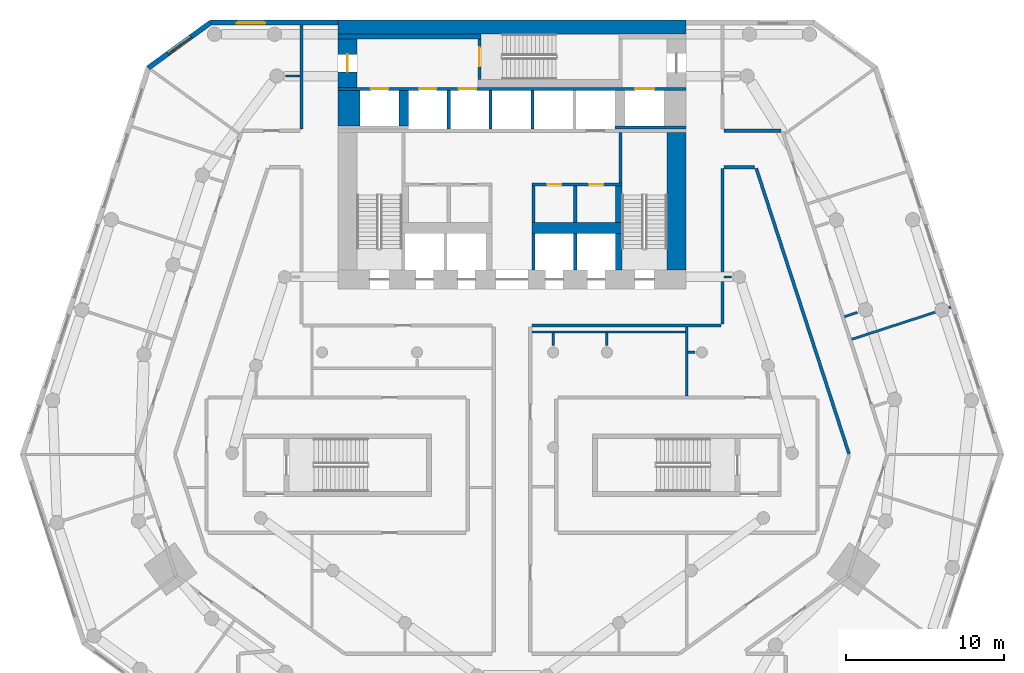
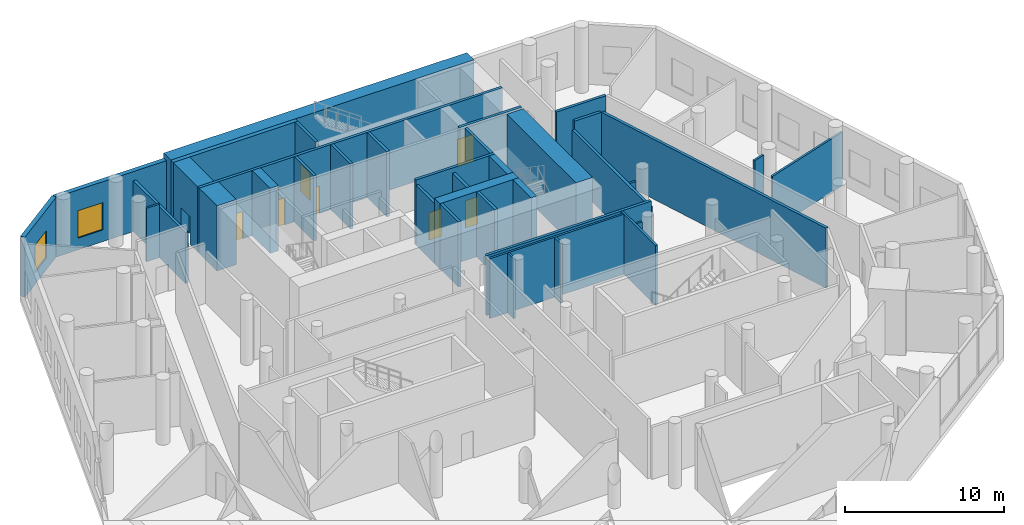
# One storey, part 11 of 15: 38 walls, 8 doors, 2 windows, 10 openings.
"""IFC4 building model written with IfcOpenShell, lengths in metres."""

import ifcopenshell
import ifcopenshell.guid

model = None  # the IFC model being written
_history = None  # IfcOwnerHistory: only IFC2X3 demands one
_inside = {}  # id of a spatial element -> (the spatial element, [elements in it])
_under = {}  # id of a project, library or spatial element -> (it, [spatial elements below it])
_declared = {}  # id of a project -> (the project, [libraries it declares])
_typed = {}  # id of a type object -> (the type object, [elements of that type])
_made_of = {}  # id of a material, layer set ... -> (it, [elements and type objects made of it])


def new_model(schema):
    """Start an empty IFC model of exactly this schema.

    Asked for "IFC4X3", IfcOpenShell would pick the latest addendum, in which some entities
    have other attributes; the version numbers below select the first issue.
    IFC2X3 requires an IfcOwnerHistory on every rooted entity: one is made here for all.
    """
    global model, _history
    if schema == "IFC4X3":
        model = ifcopenshell.file(schema_version=(4, 3, 0, 0))
    else:
        model = ifcopenshell.file(schema=schema)
    _inside.clear()
    _under.clear()
    _declared.clear()
    _typed.clear()
    _made_of.clear()
    _history = None
    if model.schema == "IFC2X3":
        org = make("IfcOrganization", Name="unknown")
        user = make(
            "IfcPersonAndOrganization",
            ThePerson=make("IfcPerson", FamilyName="unknown"),
            TheOrganization=org,
        )
        app = make(
            "IfcApplication",
            ApplicationDeveloper=org,
            Version="unknown",
            ApplicationFullName="unknown",
            ApplicationIdentifier="unknown",
        )
        _history = make(
            "IfcOwnerHistory",
            OwningUser=user,
            OwningApplication=app,
            ChangeAction="ADDED",
            CreationDate=0,
        )
    return model


def make(cls, **values):
    """One entity of the class cls with the attributes given. An attribute that is None is left unset."""
    return model.create_entity(
        cls, **{name: value for name, value in values.items() if value is not None}
    )


def rooted(cls, **values):
    """An entity with a GlobalId (a new one), such as an element, a storey or a relation."""
    return make(cls, GlobalId=ifcopenshell.guid.new(), OwnerHistory=_history, **values)


def si_unit(unit_type, name, prefix=None):
    """IfcSIUnit, for example si_unit("LENGTHUNIT", "METRE", prefix="MILLI")."""
    return make("IfcSIUnit", UnitType=unit_type, Prefix=prefix, Name=name)


def assignment(units):
    """IfcUnitAssignment: the units of a project."""
    return None if units is None else make("IfcUnitAssignment", Units=units)


def point(xyz):
    """IfcCartesianPoint."""
    return None if xyz is None else make("IfcCartesianPoint", Coordinates=xyz)


def direction(xyz):
    """IfcDirection."""
    return None if xyz is None else make("IfcDirection", DirectionRatios=xyz)


def frame(location, z_axis=None, x_axis=None):
    """IfcAxis2Placement3D, a coordinate frame: its origin and axes. An axis left out is left unset."""
    return make(
        "IfcAxis2Placement3D",
        Location=point(location),
        Axis=direction(z_axis),
        RefDirection=direction(x_axis),
    )


def frame_2d(location, x_axis=None):
    """IfcAxis2Placement2D, a coordinate frame in the plane: its origin and x axis."""
    return make(
        "IfcAxis2Placement2D", Location=point(location), RefDirection=direction(x_axis)
    )


def origin():
    """The frame at (0, 0, 0) with its axes left unset."""
    return frame((0.0, 0.0, 0.0))


def place(relative_to, where):
    """IfcLocalPlacement: puts the frame where relative to a parent placement (None: the world)."""
    return make(
        "IfcLocalPlacement", PlacementRelTo=relative_to, RelativePlacement=where
    )


def context(
    kind, dimensions, precision=None, world=None, true_north=None, identifier=None
):
    """IfcGeometricRepresentationContext, for example the 3D "Model" context."""
    return make(
        "IfcGeometricRepresentationContext",
        ContextIdentifier=identifier,
        ContextType=kind,
        CoordinateSpaceDimension=dimensions,
        Precision=precision,
        WorldCoordinateSystem=world,
        TrueNorth=true_north,
    )


def subcontext(parent, identifier, kind, view, scale=None):
    """IfcGeometricRepresentationSubContext, for example "Body" below "Model"."""
    return make(
        "IfcGeometricRepresentationSubContext",
        ContextIdentifier=identifier,
        ContextType=kind,
        ParentContext=parent,
        TargetScale=scale,
        TargetView=view,
    )


def project(units=None, contexts=None):
    """IfcProject with its units and contexts."""
    return rooted(
        "IfcProject",
        Name="project",
        RepresentationContexts=contexts,
        UnitsInContext=assignment(units),
    )


def spatial(cls, under=None, at=None, **own):
    """A site, building, storey or space (cls), placed at a placement, below another one or the project."""
    s = rooted(cls, ObjectPlacement=at, **own)
    if under is not None:
        _under.setdefault(under.id(), (under, []))[1].append(s)
    return s


def profile(cls, at=None, kind="AREA", **sizes):
    """A parametric profile (cls). Its sizes go by their IFC names, for example OverallWidth=200.0."""
    return make(cls, ProfileType=kind, Position=at, **sizes)


def rectangle(**sizes):
    """IfcRectangleProfileDef."""
    return profile("IfcRectangleProfileDef", **sizes)


def extrude(swept, where, along, depth):
    """IfcExtrudedAreaSolid: the profile swept, set in the frame where, extruded along a direction by depth."""
    return make(
        "IfcExtrudedAreaSolid",
        SweptArea=swept,
        Position=where,
        ExtrudedDirection=direction(along),
        Depth=depth,
    )


def shape(context_of_items, identifier, shape_type, items):
    """IfcShapeRepresentation: the items that make up one representation, for example the "Body"."""
    return make(
        "IfcShapeRepresentation",
        ContextOfItems=context_of_items,
        RepresentationIdentifier=identifier,
        RepresentationType=shape_type,
        Items=items,
    )


def material(Name=None, Category=None):
    """IfcMaterial."""
    return make("IfcMaterial", Name=Name, Category=Category)


def layer(
    of_material, thickness, ventilated=None, Name=None, Category=None, Priority=None
):
    """IfcMaterialLayer: one layer of a wall or slab, of a material (None: an air gap)."""
    return make(
        "IfcMaterialLayer",
        Material=of_material,
        LayerThickness=thickness,
        IsVentilated=ventilated,
        Name=Name,
        Category=Category,
        Priority=Priority,
    )


def layer_set(layers, Name=None):
    """IfcMaterialLayerSet."""
    return make("IfcMaterialLayerSet", MaterialLayers=layers, LayerSetName=Name)


def made_of(thing, what):
    """Note that an element or type object is made of a material, layer set ...; save() writes the relation."""
    if what is not None:
        _made_of.setdefault(what.id(), (what, []))[1].append(thing)
    return thing


def type_object(cls, material=None, **own):
    """A type object (cls), such as IfcWallType, which elements share."""
    return made_of(rooted(cls, **own), material)


def element(
    cls,
    number,
    at=None,
    inside=None,
    cuts=None,
    type_object=None,
    material=None,
    context=None,
    identifier="Body",
    shape_type=None,
    held_by="IfcProductDefinitionShape",
    body=None,
    shapes=None,
    **own,
):
    """One element of the class cls, such as IfcWall. Its Tag is "e" and its number.

    at: its placement. inside: the storey or other place that contains it. cuts: it is an
    opening in that element (IfcRelVoidsElement). A single representation is given by context,
    identifier, shape_type and body (its items); several are given by shapes. held_by: the class
    of the entity that holds the representations. save() writes the other relations.
    """
    e = rooted(cls, Tag="e%d" % number, ObjectPlacement=at, **own)
    if body is not None:
        shapes = [shape(context, identifier, shape_type, body)]
    if shapes is not None:
        e.Representation = make(held_by, Representations=shapes)
    if inside is not None:
        _inside.setdefault(inside.id(), (inside, []))[1].append(e)
    if cuts is not None:
        rooted(
            "IfcRelVoidsElement", RelatingBuildingElement=cuts, RelatedOpeningElement=e
        )
    if type_object is not None:
        _typed.setdefault(type_object.id(), (type_object, []))[1].append(e)
    return made_of(e, material)


def fill(opening, filler):
    """IfcRelFillsElement: the door or window that sits in an opening."""
    return rooted(
        "IfcRelFillsElement",
        RelatingOpeningElement=opening,
        RelatedBuildingElement=filler,
    )


def aggregate(whole, parts):
    """IfcRelAggregates: a whole, such as a stair, and the parts it consists of."""
    return rooted("IfcRelAggregates", RelatingObject=whole, RelatedObjects=parts)


def save(model, path):
    """Write the relations noted so far, then the file.

    IfcRelAggregates (storeys below a building ...), IfcRelContainedInSpatialStructure (elements
    in a storey), IfcRelDefinesByType, IfcRelAssociatesMaterial and IfcRelDeclares: one each for
    every whole, place, type object, material and project.
    """
    for whole, parts in _under.values():
        aggregate(whole, parts)
    for where, things in _inside.values():
        rooted(
            "IfcRelContainedInSpatialStructure",
            RelatedElements=things,
            RelatingStructure=where,
        )
    for kind, things in _typed.values():
        rooted("IfcRelDefinesByType", RelatedObjects=things, RelatingType=kind)
    for what, things in _made_of.values():
        rooted("IfcRelAssociatesMaterial", RelatedObjects=things, RelatingMaterial=what)
    for by, libraries in _declared.values():
        rooted("IfcRelDeclares", RelatingContext=by, RelatedDefinitions=libraries)
    model.write(path)


model = new_model("IFC4")

# Units and contexts
model_context = context("Model", 3, precision=1e-05, world=origin(), true_north=direction((0.0, 1.0)))
body_context = subcontext(model_context, "Body", "Model", "MODEL_VIEW")
ifc_project = project(units=[si_unit("LENGTHUNIT", "METRE"), si_unit("AREAUNIT", "SQUARE_METRE"), si_unit("VOLUMEUNIT", "CUBIC_METRE"), si_unit("PLANEANGLEUNIT", "RADIAN"), si_unit("MASSUNIT", "GRAM", prefix="KILO")], contexts=[model_context])

# Site, building, storey
site_placement = place(None, origin())
site = spatial("IfcSite", under=ifc_project, at=site_placement, CompositionType="ELEMENT")
building_placement = place(site_placement, origin())
building = spatial("IfcBuilding", under=site, at=building_placement, Name="White Candle Pilgrim Tower", CompositionType="ELEMENT")
storey_placement = place(building_placement, frame((0.0, 0.0, 34.0)))
storey = spatial("IfcBuildingStorey", under=building, at=storey_placement, Name="L05", CompositionType="ELEMENT", Elevation=34.0)

# Wall, opening, door
ifc_material_1 = material(Name="Concrete C70/85", Category="concrete")
ifc_layer_1 = layer(ifc_material_1, 1.199951171875)
ifc_layer_set_1 = layer_set([ifc_layer_1], Name="Core wall 1200 mm Concrete C70/85")
wall_type_1 = type_object("IfcWallType", Name="Core wall 1200 mm Concrete C70/85", PredefinedType="SHEAR", material=ifc_layer_set_1)
wall_1_placement = place(storey_placement, frame((59.60009765625, 83.75, 0.0), z_axis=(0.0, 0.0, 1.0), x_axis=(0.0, 1.0, 0.0)))
wall_1 = element("IfcWall", 1, at=wall_1_placement, inside=storey, type_object=wall_type_1, Name="WL-L05-C54", PredefinedType="SHEAR", context=body_context, shape_type="SweptSolid", body=[
    extrude(rectangle(XDim=3.050048828125, YDim=1.199951171875, at=frame_2d((1.52490234375, 0.0))), origin(), (0.0, 0.0, 1.0), 5.0),
])
opening_1_placement = place(wall_1_placement, frame((0.97509765625, 0.0, 0.0)))
opening_1 = element("IfcOpeningElement", 2, at=opening_1_placement, cuts=wall_1, Name="Opening L05-005", PredefinedType="OPENING", context=body_context, shape_type="SweptSolid", body=[
    extrude(rectangle(XDim=1.10009765625, YDim=2.10009765625, at=frame_2d((0.550048828125, 1.050048828125))), frame((0.0, 0.60986328125, 0.0), z_axis=(0.0, -1.0, 0.0), x_axis=(1.0, 0.0, 0.0)), (0.0, 0.0, 1.0), 1.219970703125),
])
ifc_material_2 = material(Name="Steel door leaf", Category="steel")
door_type_1 = type_object("IfcDoorType", Name="Fire door 1100 x 2100 EI 60", OperationType="NOTDEFINED", PredefinedType="DOOR", material=ifc_material_2)
door_1_placement = place(opening_1_placement, origin())
door_1 = element("IfcDoor", 3, at=door_1_placement, inside=storey, type_object=door_type_1, Name="Door L05-005", OperationType="SINGLE_SWING_LEFT", OverallHeight=2.10009765625, OverallWidth=1.10009765625, PredefinedType="DOOR", context=body_context, shape_type="SweptSolid", body=[
    extrude(rectangle(XDim=1.10009765625, YDim=2.10009765625, at=frame_2d((0.550048828125, 1.050048828125))), frame((0.0, 0.02490234375, 0.0), z_axis=(0.0, -1.0, 0.0), x_axis=(1.0, 0.0, 0.0)), (0.0, 0.0, 1.0), 0.050048828125),
])
fill(opening_1, door_1)

# Walls
ifc_layer_2 = layer(ifc_material_1, 1.39990234375)
ifc_layer_set_2 = layer_set([ifc_layer_2], Name="Core wall 1400 mm Concrete C70/85")
wall_type_2 = type_object("IfcWallType", Name="Core wall 1400 mm Concrete C70/85", PredefinedType="SHEAR", material=ifc_layer_set_2)
wall_2_placement = place(storey_placement, frame((59.699951171875, 81.300048828125, 0.0), z_axis=(0.0, 0.0, 1.0), x_axis=(0.0, 1.0, 0.0)))
element("IfcWall", 4, at=wall_2_placement, inside=storey, type_object=wall_type_2, Name="WL-L05-C49", PredefinedType="SHEAR", context=body_context, shape_type="SweptSolid", body=[
    extrude(rectangle(XDim=2.25, YDim=1.39990234375, at=frame_2d((1.125, 0.0))), origin(), (0.0, 0.0, 1.0), 5.0),
])
ifc_layer_3 = layer(ifc_material_1, 0.199951171875)
ifc_layer_set_3 = layer_set([ifc_layer_3], Name="Core wall 200 mm Concrete C70/85")
wall_type_3 = type_object("IfcWallType", Name="Core wall 200 mm Concrete C70/85", PredefinedType="SHEAR", material=ifc_layer_set_3)
wall_3_placement = place(storey_placement, frame((76.5, 81.199951171875, 0.0), z_axis=(0.0, 0.0, 1.0), x_axis=(1.0, 0.0, 0.0)))
element("IfcWall", 5, at=wall_3_placement, inside=storey, type_object=wall_type_3, Name="WL-L05-C48", PredefinedType="SHEAR", context=body_context, shape_type="SweptSolid", body=[
    extrude(rectangle(XDim=4.5, YDim=0.199951171875, at=frame_2d((2.25, 0.0))), origin(), (0.0, 0.0, 1.0), 5.0),
])

# Wall, openings, doors
wall_4_placement = place(storey_placement, frame((59.0, 83.64990234375, 0.0), z_axis=(0.0, 0.0, 1.0), x_axis=(1.0, 0.0, 0.0)))
wall_4 = element("IfcWall", 6, at=wall_4_placement, inside=storey, type_object=wall_type_3, Name="WL-L05-C53", PredefinedType="SHEAR", context=body_context, shape_type="SweptSolid", body=[
    extrude(rectangle(XDim=22.0, YDim=0.199951171875, at=frame_2d((11.0, 0.0))), origin(), (0.0, 0.0, 1.0), 5.0),
])
opening_2_placement = place(wall_4_placement, frame((5.125, 0.0, 0.0)))
opening_2 = element("IfcOpeningElement", 7, at=opening_2_placement, cuts=wall_4, Name="Opening L05-015", PredefinedType="OPENING", context=body_context, shape_type="SweptSolid", body=[
    extrude(rectangle(XDim=1.10009765625, YDim=2.10009765625, at=frame_2d((0.550048828125, 1.050048828125))), frame((0.0, 0.10986328125, 0.0), z_axis=(0.0, -1.0, 0.0), x_axis=(1.0, 0.0, 0.0)), (0.0, 0.0, 1.0), 0.219970703125),
])
opening_3_placement = place(wall_4_placement, frame((7.64990234375, 0.0, 0.0)))
opening_3 = element("IfcOpeningElement", 8, at=opening_3_placement, cuts=wall_4, Name="Opening L05-016", PredefinedType="OPENING", context=body_context, shape_type="SweptSolid", body=[
    extrude(rectangle(XDim=1.10009765625, YDim=2.10009765625, at=frame_2d((0.550048828125, 1.050048828125))), frame((0.0, 0.10986328125, 0.0), z_axis=(0.0, -1.0, 0.0), x_axis=(1.0, 0.0, 0.0)), (0.0, 0.0, 1.0), 0.219970703125),
])
opening_4_placement = place(wall_4_placement, frame((18.77490234375, 0.0, 0.0)))
opening_4 = element("IfcOpeningElement", 9, at=opening_4_placement, cuts=wall_4, Name="Opening L05-022", PredefinedType="OPENING", context=body_context, shape_type="SweptSolid", body=[
    extrude(rectangle(XDim=1.199951171875, YDim=2.10009765625, at=frame_2d((0.60009765625, 1.050048828125))), frame((0.0, 0.10986328125, 0.0), z_axis=(0.0, -1.0, 0.0), x_axis=(1.0, 0.0, 0.0)), (0.0, 0.0, 1.0), 0.219970703125),
])
opening_5_placement = place(wall_4_placement, frame((2.074951171875, 0.0, 0.0)))
opening_5 = element("IfcOpeningElement", 10, at=opening_5_placement, cuts=wall_4, Name="Opening L05-023", PredefinedType="OPENING", context=body_context, shape_type="SweptSolid", body=[
    extrude(rectangle(XDim=1.10009765625, YDim=2.10009765625, at=frame_2d((0.550048828125, 1.050048828125))), frame((0.0, 0.10986328125, 0.0), z_axis=(0.0, -1.0, 0.0), x_axis=(1.0, 0.0, 0.0)), (0.0, 0.0, 1.0), 0.219970703125),
])
ifc_material_3 = material(Name="Stainless steel", Category="steel")
door_type_2 = type_object("IfcDoorType", Name="Lift landing door 1100 x 2100 EI 60", OperationType="DOUBLE_DOOR_SLIDING", PredefinedType="DOOR", material=ifc_material_3)
door_2_placement = place(opening_2_placement, origin())
door_2 = element("IfcDoor", 11, at=door_2_placement, inside=storey, type_object=door_type_2, Name="Door L05-015", OperationType="DOUBLE_DOOR_SLIDING", OverallHeight=2.10009765625, OverallWidth=1.10009765625, PredefinedType="DOOR", context=body_context, shape_type="SweptSolid", body=[
    extrude(rectangle(XDim=1.10009765625, YDim=2.10009765625, at=frame_2d((0.550048828125, 1.050048828125))), frame((0.0, 0.02490234375, 0.0), z_axis=(0.0, -1.0, 0.0), x_axis=(1.0, 0.0, 0.0)), (0.0, 0.0, 1.0), 0.050048828125),
])
fill(opening_2, door_2)
door_3_placement = place(opening_3_placement, origin())
door_3 = element("IfcDoor", 12, at=door_3_placement, inside=storey, type_object=door_type_2, Name="Door L05-016", OperationType="DOUBLE_DOOR_SLIDING", OverallHeight=2.10009765625, OverallWidth=1.10009765625, PredefinedType="DOOR", context=body_context, shape_type="SweptSolid", body=[
    extrude(rectangle(XDim=1.10009765625, YDim=2.10009765625, at=frame_2d((0.550048828125, 1.050048828125))), frame((0.0, 0.02490234375, 0.0), z_axis=(0.0, -1.0, 0.0), x_axis=(1.0, 0.0, 0.0)), (0.0, 0.0, 1.0), 0.050048828125),
])
fill(opening_3, door_3)
door_4_placement = place(opening_5_placement, origin())
door_4 = element("IfcDoor", 13, at=door_4_placement, inside=storey, type_object=door_type_2, Name="Door L05-023", OperationType="DOUBLE_DOOR_SLIDING", OverallHeight=2.10009765625, OverallWidth=1.10009765625, PredefinedType="DOOR", context=body_context, shape_type="SweptSolid", body=[
    extrude(rectangle(XDim=1.10009765625, YDim=2.10009765625, at=frame_2d((0.550048828125, 1.050048828125))), frame((0.0, 0.02490234375, 0.0), z_axis=(0.0, -1.0, 0.0), x_axis=(1.0, 0.0, 0.0)), (0.0, 0.0, 1.0), 0.050048828125),
])
fill(opening_5, door_4)
door_type_3 = type_object("IfcDoorType", Name="Lift landing door 1200 x 2100 E 60", OperationType="DOUBLE_DOOR_SLIDING", PredefinedType="DOOR", material=ifc_material_3)
door_5_placement = place(opening_4_placement, origin())
door_5 = element("IfcDoor", 14, at=door_5_placement, inside=storey, type_object=door_type_3, Name="Door L05-022", OperationType="DOUBLE_DOOR_SLIDING", OverallHeight=2.10009765625, OverallWidth=1.199951171875, PredefinedType="DOOR", context=body_context, shape_type="SweptSolid", body=[
    extrude(rectangle(XDim=1.199951171875, YDim=2.10009765625, at=frame_2d((0.60009765625, 1.050048828125))), frame((0.0, 0.02490234375, 0.0), z_axis=(0.0, -1.0, 0.0), x_axis=(1.0, 0.0, 0.0)), (0.0, 0.0, 1.0), 0.050048828125),
])
fill(opening_4, door_5)

# Walls
ifc_material_4 = material(Name="Gypsum board on steel studs", Category="steel")
ifc_layer_4 = layer(ifc_material_4, 0.199951171875)
ifc_layer_set_4 = layer_set([ifc_layer_4], Name="Corridor wall 200 mm EI 45")
wall_type_4 = type_object("IfcWallType", Name="Corridor wall 200 mm EI 45", PredefinedType="PARTITIONING", material=ifc_layer_set_4)
wall_5_placement = place(storey_placement, frame((56.699951171875, 81.10009765625, 0.0), z_axis=(0.0, 0.0, 1.0), x_axis=(0.0, 1.0, 0.0)))
element("IfcWall", 15, at=wall_5_placement, inside=storey, type_object=wall_type_4, Name="WL-L05-P007", PredefinedType="PARTITIONING", context=body_context, shape_type="SweptSolid", body=[
    extrude(rectangle(XDim=6.579833984375, YDim=0.199951171875, at=frame_2d((3.2900390625, 0.0))), origin(), (0.0, 0.0, 1.0), 3.89990234375),
])
wall_6_placement = place(storey_placement, frame((83.39990234375, 81.0, 0.0), z_axis=(0.0, 0.0, 1.0), x_axis=(1.0, 0.0, 0.0)))
element("IfcWall", 16, at=wall_6_placement, inside=storey, type_object=wall_type_4, Name="WL-L05-P009", PredefinedType="PARTITIONING", context=body_context, shape_type="SweptSolid", body=[
    extrude(rectangle(XDim=3.610107421875, YDim=0.199951171875, at=frame_2d((1.80517578125, 0.0))), origin(), (0.0, 0.0, 1.0), 3.89990234375),
])
wall_7_placement = place(storey_placement, frame((91.302490234375, 60.570068359375, 0.0), z_axis=(0.0, 0.0, 1.0), x_axis=(-0.309021827521, 0.951054945897, 0.0)))
element("IfcWall", 17, at=wall_7_placement, inside=storey, type_object=wall_type_4, Name="WL-L05-P021", PredefinedType="PARTITIONING", context=body_context, shape_type="SweptSolid", body=[
    extrude(rectangle(XDim=18.990234375, YDim=0.199951171875, at=frame_2d((9.4951171875, 0.0))), origin(), (0.0, 0.0, 1.0), 4.60009765625),
])
wall_8_placement = place(storey_placement, frame((85.339111328125, 78.699951171875, 0.0), z_axis=(0.0, 0.0, 1.0), x_axis=(-1.0, 0.0, 0.0)))
element("IfcWall", 18, at=wall_8_placement, inside=storey, type_object=wall_type_4, Name="WL-L05-P022", PredefinedType="PARTITIONING", context=body_context, shape_type="SweptSolid", body=[
    extrude(rectangle(XDim=1.939208984375, YDim=0.199951171875, at=frame_2d((0.9697265625, 0.0))), origin(), (0.0, 0.0, 1.0), 4.60009765625),
])
wall_9_placement = place(storey_placement, frame((83.300048828125, 78.60009765625, 0.0), z_axis=(0.0, 0.0, 1.0), x_axis=(0.0, -1.0, 0.0)))
element("IfcWall", 19, at=wall_9_placement, inside=storey, type_object=wall_type_4, Name="WL-L05-P023", PredefinedType="PARTITIONING", context=body_context, shape_type="SweptSolid", body=[
    extrude(rectangle(XDim=9.800048828125, YDim=0.199951171875, at=frame_2d((4.89990234375, 0.0))), origin(), (0.0, 0.0, 1.0), 4.0),
])
wall_10_placement = place(storey_placement, frame((83.199951171875, 68.699951171875, 0.0), z_axis=(0.0, 0.0, 1.0), x_axis=(-1.0, 0.0, 0.0)))
element("IfcWall", 20, at=wall_10_placement, inside=storey, type_object=wall_type_4, Name="WL-L05-P024", PredefinedType="PARTITIONING", context=body_context, shape_type="SweptSolid", body=[
    extrude(rectangle(XDim=11.949951171875, YDim=0.199951171875, at=frame_2d((5.97509765625, 0.0))), origin(), (0.0, 0.0, 1.0), 4.60009765625),
])

# Wall, opening, window
ifc_material_5 = material(Name="Precast concrete C40/50", Category="concrete")
ifc_layer_5 = layer(ifc_material_5, 0.320068359375)
ifc_layer_set_5 = layer_set([ifc_layer_5], Name="Facade wall EW3 precast concrete C40/50 and stone-faced podium wall")
wall_type_5 = type_object("IfcWallType", Name="Facade wall EW3 precast concrete C40/50 and stone-faced podium wall", PredefinedType="SOLIDWALL", material=ifc_layer_set_5)
wall_11_placement = place(storey_placement, frame((59.0, 87.840087890625, 0.0), z_axis=(0.0, 0.0, 1.0), x_axis=(-1.0, 0.0, 0.0)))
wall_11 = element("IfcWall", 21, at=wall_11_placement, inside=storey, type_object=wall_type_5, Name="Facade wall L05 N", PredefinedType="SOLIDWALL", context=body_context, shape_type="SweptSolid", body=[
    extrude(rectangle(XDim=8.040771484375, YDim=0.320068359375, at=frame_2d((4.0205078125, 0.0))), origin(), (0.0, 0.0, 1.0), 4.60009765625),
])
opening_6_placement = place(wall_11_placement, frame((4.60009765625, 0.0, 0.89990234375)))
opening_6 = element("IfcOpeningElement", 22, at=opening_6_placement, cuts=wall_11, Name="Opening W8", PredefinedType="OPENING", context=body_context, shape_type="SweptSolid", body=[
    extrude(rectangle(XDim=1.800048828125, YDim=2.10009765625, at=frame_2d((0.89990234375, 1.050048828125))), frame((0.0, 0.169921875, 0.0), z_axis=(0.0, -1.0, 0.0), x_axis=(1.0, 0.0, 0.0)), (0.0, 0.0, 1.0), 0.340087890625),
])
ifc_material_6 = material(Name="Timber frame with triple glazing", Category="wood")
window_type = type_object("IfcWindowType", Name="Window W8 1800x2100 timber frame triple glazing", PartitioningType="SINGLE_PANEL", PredefinedType="WINDOW", material=ifc_material_6)
window_1_placement = place(opening_6_placement, origin())
window_1 = element("IfcWindow", 23, at=window_1_placement, inside=storey, type_object=window_type, Name="Window W8 L05 N 12", OverallHeight=2.10009765625, OverallWidth=1.800048828125, PartitioningType="SINGLE_PANEL", PredefinedType="WINDOW", context=body_context, shape_type="SweptSolid", body=[
    extrude(rectangle(XDim=1.800048828125, YDim=2.10009765625, at=frame_2d((0.89990234375, 1.050048828125))), frame((0.0, 0.070068359375, 0.0), z_axis=(0.0, -1.0, 0.0), x_axis=(1.0, 0.0, 0.0)), (0.0, 0.0, 1.0), 0.06005859375),
])
fill(opening_6, window_1)

wall_12_placement = place(storey_placement, frame((50.959228515625, 87.840087890625, 0.0), z_axis=(0.0, 0.0, 1.0), x_axis=(-0.809004657531, -0.587802232127, 0.0)))
wall_12 = element("IfcWall", 24, at=wall_12_placement, inside=storey, type_object=wall_type_5, Name="Facade wall L05 NW chamfer", PredefinedType="SOLIDWALL", context=body_context, shape_type="SweptSolid", body=[
    extrude(rectangle(XDim=4.872802734375, YDim=0.320068359375, at=frame_2d((2.4365234375, 0.0))), origin(), (0.0, 0.0, 1.0), 4.60009765625),
])
opening_7_placement = place(wall_12_placement, frame((1.536376953125, 0.0, 0.89990234375)))
opening_7 = element("IfcOpeningElement", 25, at=opening_7_placement, cuts=wall_12, Name="Opening W8", PredefinedType="OPENING", context=body_context, shape_type="SweptSolid", body=[
    extrude(rectangle(XDim=1.800048828125, YDim=2.10009765625, at=frame_2d((0.89990234375, 1.050048828125))), frame((0.0, 0.169921875, 0.0), z_axis=(0.0, -1.0, 0.0), x_axis=(1.0, 0.0, 0.0)), (0.0, 0.0, 1.0), 0.340087890625),
])
window_2_placement = place(opening_7_placement, origin())
window_2 = element("IfcWindow", 26, at=window_2_placement, inside=storey, type_object=window_type, Name="Window W8 L05 NW chamfer 1", OverallHeight=2.10009765625, OverallWidth=1.800048828125, PartitioningType="SINGLE_PANEL", PredefinedType="WINDOW", context=body_context, shape_type="SweptSolid", body=[
    extrude(rectangle(XDim=1.800048828125, YDim=2.10009765625, at=frame_2d((0.89990234375, 1.050048828125))), frame((0.0, 0.070068359375, 0.0), z_axis=(0.0, -1.0, 0.0), x_axis=(1.0, 0.0, 0.0)), (0.0, 0.0, 1.0), 0.06005859375),
])
fill(opening_7, window_2)

# Walls
ifc_layer_6 = layer(ifc_material_4, 0.199951171875)
ifc_layer_set_6 = layer_set([ifc_layer_6], Name="Lobby wall 200 mm EI 60")
wall_type_6 = type_object("IfcWallType", Name="Lobby wall 200 mm EI 60", PredefinedType="PARTITIONING", material=ifc_layer_set_6)
for number, where, z_axis, x_axis, name in (
    (27, (71.35009765625, 75.199951171875, 0.0), (0.0, 0.0, 1.0), (0.0, 1.0, 0.0), "WL-L05-C35"),
    (28, (74.0, 75.199951171875, 0.0), (0.0, 0.0, 1.0), (0.0, 1.0, 0.0), "WL-L05-C36"),
):
    element("IfcWall", number, at=place(storey_placement, frame(where, z_axis=z_axis, x_axis=x_axis)), inside=storey, type_object=wall_type_6, Name=name, PredefinedType="PARTITIONING", context=body_context, shape_type="SweptSolid", body=[
        extrude(rectangle(XDim=2.300048828125, YDim=0.199951171875, at=frame_2d((1.14990234375, 0.0))), origin(), (0.0, 0.0, 1.0), 4.60009765625),
    ])
ifc_layer_7 = layer(ifc_material_4, 0.14990234375)
ifc_layer_set_7 = layer_set([ifc_layer_7], Name="Partition 150 mm EI 60")
wall_type_7 = type_object("IfcWallType", Name="Partition 150 mm EI 60", PredefinedType="PARTITIONING", material=ifc_layer_set_7)
wall_13_placement = place(storey_placement, frame((97.727783203125, 69.85498046875, 0.0), z_axis=(0.0, 0.0, 1.0), x_axis=(-0.951049337045, -0.309039088961, 0.0)))
element("IfcWall", 29, at=wall_13_placement, inside=storey, type_object=wall_type_7, Name="WL-L05-P060", PredefinedType="PARTITIONING", context=body_context, shape_type="SweptSolid", body=[
    extrude(rectangle(XDim=6.579833984375, YDim=0.14990234375, at=frame_2d((3.2900390625, 0.0))), origin(), (0.0, 0.0, 1.0), 4.10009765625),
])
wall_14_placement = place(storey_placement, frame((81.053466796875, 64.25, 0.0), z_axis=(0.0, 0.0, 1.0), x_axis=(0.0, 1.0, 0.0)))
element("IfcWall", 30, at=wall_14_placement, inside=storey, type_object=wall_type_7, Name="WL-L05-P068", PredefinedType="PARTITIONING", context=body_context, shape_type="SweptSolid", body=[
    extrude(rectangle(XDim=4.35009765625, YDim=0.14990234375, at=frame_2d((2.175048828125, 0.0))), origin(), (0.0, 0.0, 1.0), 4.60009765625),
])
wall_15_placement = place(storey_placement, frame((71.25, 68.28466796875, 0.0), z_axis=(0.0, 0.0, 1.0), x_axis=(1.0, 0.0, 0.0)))
element("IfcWall", 31, at=wall_15_placement, inside=storey, type_object=wall_type_7, Name="WL-L05-P071", PredefinedType="PARTITIONING", context=body_context, shape_type="SweptSolid", body=[
    extrude(rectangle(XDim=9.728515625, YDim=0.14990234375, at=frame_2d((4.8642578125, 0.0))), origin(), (0.0, 0.0, 1.0), 4.60009765625),
])
wall_16_placement = place(storey_placement, frame((91.827880859375, 69.518798828125, 0.0), z_axis=(0.0, 0.0, 1.0), x_axis=(-0.95113772004, -0.308766963123, 0.0)))
element("IfcWall", 32, at=wall_16_placement, inside=storey, type_object=wall_type_7, Name="WL-L05-P075", PredefinedType="PARTITIONING", context=body_context, shape_type="SweptSolid", body=[
    extrude(rectangle(XDim=0.864990234375, YDim=0.14990234375, at=frame_2d((0.4326171875, 0.0))), origin(), (0.0, 0.0, 1.0), 4.60009765625),
])
wall_17_placement = place(storey_placement, frame((55.679931640625, 84.46240234375, 0.0), z_axis=(0.0, 0.0, 1.0), x_axis=(1.0, 0.0, 0.0)))
element("IfcWall", 33, at=wall_17_placement, inside=storey, type_object=wall_type_7, Name="WL-L05-P078", PredefinedType="PARTITIONING", context=body_context, shape_type="SweptSolid", body=[
    extrude(rectangle(XDim=0.920166015625, YDim=0.14990234375, at=frame_2d((0.4599609375, 0.0))), origin(), (0.0, 0.0, 1.0), 4.10009765625),
])
wall_18_placement = place(storey_placement, frame((83.8701171875, 71.7578125, 0.0), z_axis=(0.0, 0.0, 1.0), x_axis=(-1.0, 0.0, 0.0)))
element("IfcWall", 34, at=wall_18_placement, inside=storey, type_object=wall_type_7, Name="WL-L05-P086", PredefinedType="PARTITIONING", context=body_context, shape_type="SweptSolid", body=[
    extrude(rectangle(XDim=0.47021484375, YDim=0.14990234375, at=frame_2d((0.235107421875, 0.0))), origin(), (0.0, 0.0, 1.0), 4.0),
])
for number, where, z_axis, x_axis, name in (
    (35, (72.59765625, 67.43994140625, 0.0), (0.0, 0.0, 1.0), (0.0, 1.0, 0.0), "WL-L05-P090"),
    (36, (75.997802734375, 67.43994140625, 0.0), (0.0, 0.0, 1.0), (0.0, 1.0, 0.0), "WL-L05-P091"),
):
    element("IfcWall", number, at=place(storey_placement, frame(where, z_axis=z_axis, x_axis=x_axis)), inside=storey, type_object=wall_type_7, Name=name, PredefinedType="PARTITIONING", context=body_context, shape_type="SweptSolid", body=[
        extrude(rectangle(XDim=0.769775390625, YDim=0.14990234375, at=frame_2d((0.384765625, 0.0))), origin(), (0.0, 0.0, 1.0), 4.60009765625),
    ])
wall_19_placement = place(storey_placement, frame((81.56005859375, 66.997802734375, 0.0), z_axis=(0.0, 0.0, 1.0), x_axis=(-1.0, 0.0, 0.0)))
element("IfcWall", 37, at=wall_19_placement, inside=storey, type_object=wall_type_7, Name="WL-L05-P092", PredefinedType="PARTITIONING", context=body_context, shape_type="SweptSolid", body=[
    extrude(rectangle(XDim=0.431640625, YDim=0.14990234375, at=frame_2d((0.2158203125, 0.0))), origin(), (0.0, 0.0, 1.0), 4.60009765625),
])
ifc_layer_8 = layer(ifc_material_1, 0.199951171875)
ifc_layer_set_8 = layer_set([ifc_layer_8], Name="Shaft wall 200 mm Concrete C70/85")
wall_type_8 = type_object("IfcWallType", Name="Shaft wall 200 mm Concrete C70/85", PredefinedType="SHEAR", material=ifc_layer_set_8)
for number, where, z_axis, x_axis, name in (
    (38, (71.35009765625, 72.199951171875, 0.0), (0.0, 0.0, 1.0), (0.0, 1.0, 0.0), "WL-L05-C26"),
    (39, (74.0, 72.199951171875, 0.0), (0.0, 0.0, 1.0), (0.0, 1.0, 0.0), "WL-L05-C27"),
):
    element("IfcWall", number, at=place(storey_placement, frame(where, z_axis=z_axis, x_axis=x_axis)), inside=storey, type_object=wall_type_8, Name=name, PredefinedType="SHEAR", context=body_context, shape_type="SweptSolid", body=[
        extrude(rectangle(XDim=2.300048828125, YDim=0.199951171875, at=frame_2d((1.14990234375, 0.0))), origin(), (0.0, 0.0, 1.0), 5.0),
    ])
for number, where, z_axis, x_axis, name in (
    (40, (66.0, 81.10009765625, 0.0), (0.0, 0.0, 1.0), (0.0, 1.0, 0.0), "WL-L05-C44"),
    (41, (68.64990234375, 81.10009765625, 0.0), (0.0, 0.0, 1.0), (0.0, 1.0, 0.0), "WL-L05-C45"),
    (42, (71.300048828125, 81.10009765625, 0.0), (0.0, 0.0, 1.0), (0.0, 1.0, 0.0), "WL-L05-C46"),
):
    element("IfcWall", number, at=place(storey_placement, frame(where, z_axis=z_axis, x_axis=x_axis)), inside=storey, type_object=wall_type_8, Name=name, PredefinedType="SHEAR", context=body_context, shape_type="SweptSolid", body=[
        extrude(rectangle(XDim=2.449951171875, YDim=0.199951171875, at=frame_2d((1.22509765625, 0.0))), origin(), (0.0, 0.0, 1.0), 5.0),
    ])
ifc_layer_9 = layer(ifc_material_1, 0.60009765625)
ifc_layer_set_9 = layer_set([ifc_layer_9], Name="Shaft wall 600 mm Concrete C70/85")
wall_type_9 = type_object("IfcWallType", Name="Shaft wall 600 mm Concrete C70/85", PredefinedType="SHEAR", material=ifc_layer_set_9)
wall_20_placement = place(storey_placement, frame((63.14990234375, 81.300048828125, 0.0), z_axis=(0.0, 0.0, 1.0), x_axis=(0.0, 1.0, 0.0)))
element("IfcWall", 43, at=wall_20_placement, inside=storey, type_object=wall_type_9, Name="WL-L05-C50", PredefinedType="SHEAR", context=body_context, shape_type="SweptSolid", body=[
    extrude(rectangle(XDim=2.25, YDim=0.60009765625, at=frame_2d((1.125, 0.0))), origin(), (0.0, 0.0, 1.0), 5.0),
])
ifc_layer_10 = layer(ifc_material_1, 1.199951171875)
ifc_layer_set_10 = layer_set([ifc_layer_10], Name="Stair shaft wall 1200 mm Concrete C70/85")
wall_type_10 = type_object("IfcWallType", Name="Stair shaft wall 1200 mm Concrete C70/85", PredefinedType="SHEAR", material=ifc_layer_set_10)
wall_21_placement = place(storey_placement, frame((80.39990234375, 72.199951171875, 0.0), z_axis=(0.0, 0.0, 1.0), x_axis=(0.0, 1.0, 0.0)))
element("IfcWall", 44, at=wall_21_placement, inside=storey, type_object=wall_type_10, Name="WL-L05-C29", PredefinedType="SHEAR", context=body_context, shape_type="SweptSolid", body=[
    extrude(rectangle(XDim=8.699951171875, YDim=1.199951171875, at=frame_2d((4.35009765625, 0.0))), origin(), (0.0, 0.0, 1.0), 5.0),
])

# Wall, openings, doors
ifc_layer_11 = layer(ifc_material_1, 0.199951171875)
ifc_layer_set_11 = layer_set([ifc_layer_11], Name="Stair shaft wall 200 mm Concrete C70/85")
wall_type_11 = type_object("IfcWallType", Name="Stair shaft wall 200 mm Concrete C70/85", PredefinedType="SHEAR", material=ifc_layer_set_11)
wall_22_placement = place(storey_placement, frame((71.25, 77.60009765625, 0.0), z_axis=(0.0, 0.0, 1.0), x_axis=(1.0, 0.0, 0.0)))
wall_22 = element("IfcWall", 45, at=wall_22_placement, inside=storey, type_object=wall_type_11, Name="WL-L05-C39", PredefinedType="SHEAR", context=body_context, shape_type="SweptSolid", body=[
    extrude(rectangle(XDim=5.699951171875, YDim=0.199951171875, at=frame_2d((2.85009765625, 0.0))), origin(), (0.0, 0.0, 1.0), 5.0),
])
opening_8_placement = place(wall_22_placement, frame((0.97509765625, 0.0, 0.0)))
opening_8 = element("IfcOpeningElement", 46, at=opening_8_placement, cuts=wall_22, Name="Opening L05-026", PredefinedType="OPENING", context=body_context, shape_type="SweptSolid", body=[
    extrude(rectangle(XDim=0.89990234375, YDim=2.10009765625, at=frame_2d((0.449951171875, 1.050048828125))), frame((0.0, 0.10986328125, 0.0), z_axis=(0.0, -1.0, 0.0), x_axis=(1.0, 0.0, 0.0)), (0.0, 0.0, 1.0), 0.219970703125),
])
opening_9_placement = place(wall_22_placement, frame((3.625, 0.0, 0.0)))
opening_9 = element("IfcOpeningElement", 47, at=opening_9_placement, cuts=wall_22, Name="Opening L05-027", PredefinedType="OPENING", context=body_context, shape_type="SweptSolid", body=[
    extrude(rectangle(XDim=0.89990234375, YDim=2.10009765625, at=frame_2d((0.449951171875, 1.050048828125))), frame((0.0, 0.10986328125, 0.0), z_axis=(0.0, -1.0, 0.0), x_axis=(1.0, 0.0, 0.0)), (0.0, 0.0, 1.0), 0.219970703125),
])
door_type_4 = type_object("IfcDoorType", Name="Fire door 900 x 2100 EI 30", OperationType="NOTDEFINED", PredefinedType="DOOR", material=ifc_material_2)
door_6_placement = place(opening_8_placement, origin())
door_6 = element("IfcDoor", 48, at=door_6_placement, inside=storey, type_object=door_type_4, Name="Door L05-026", OperationType="SINGLE_SWING_RIGHT", OverallHeight=2.10009765625, OverallWidth=0.89990234375, PredefinedType="DOOR", context=body_context, shape_type="SweptSolid", body=[
    extrude(rectangle(XDim=0.89990234375, YDim=2.10009765625, at=frame_2d((0.449951171875, 1.050048828125))), frame((0.0, 0.02490234375, 0.0), z_axis=(0.0, -1.0, 0.0), x_axis=(1.0, 0.0, 0.0)), (0.0, 0.0, 1.0), 0.050048828125),
])
fill(opening_8, door_6)
door_7_placement = place(opening_9_placement, origin())
door_7 = element("IfcDoor", 49, at=door_7_placement, inside=storey, type_object=door_type_4, Name="Door L05-027", OperationType="SINGLE_SWING_LEFT", OverallHeight=2.10009765625, OverallWidth=0.89990234375, PredefinedType="DOOR", context=body_context, shape_type="SweptSolid", body=[
    extrude(rectangle(XDim=0.89990234375, YDim=2.10009765625, at=frame_2d((0.449951171875, 1.050048828125))), frame((0.0, 0.02490234375, 0.0), z_axis=(0.0, -1.0, 0.0), x_axis=(1.0, 0.0, 0.0)), (0.0, 0.0, 1.0), 0.050048828125),
])
fill(opening_9, door_7)

# Wall
wall_23_placement = place(storey_placement, frame((76.85009765625, 77.699951171875, 0.0), z_axis=(0.0, 0.0, 1.0), x_axis=(0.0, 1.0, 0.0)))
element("IfcWall", 50, at=wall_23_placement, inside=storey, type_object=wall_type_11, Name="WL-L05-C41", PredefinedType="SHEAR", context=body_context, shape_type="SweptSolid", body=[
    extrude(rectangle(XDim=3.199951171875, YDim=0.199951171875, at=frame_2d((1.60009765625, 0.0))), origin(), (0.0, 0.0, 1.0), 5.0),
])

# Wall, opening, door
wall_24_placement = place(storey_placement, frame((67.949951171875, 84.25, 0.0), z_axis=(0.0, 0.0, 1.0), x_axis=(0.0, 1.0, 0.0)))
wall_24 = element("IfcWall", 51, at=wall_24_placement, inside=storey, type_object=wall_type_11, Name="WL-L05-C57", PredefinedType="SHEAR", context=body_context, shape_type="SweptSolid", body=[
    extrude(rectangle(XDim=2.550048828125, YDim=0.199951171875, at=frame_2d((1.27490234375, 0.0))), origin(), (0.0, 0.0, 1.0), 5.0),
])
opening_10_placement = place(wall_24_placement, frame((0.824951171875, 0.0, 0.0)))
opening_10 = element("IfcOpeningElement", 52, at=opening_10_placement, cuts=wall_24, Name="Opening L05-003", PredefinedType="OPENING", context=body_context, shape_type="SweptSolid", body=[
    extrude(rectangle(XDim=1.199951171875, YDim=2.10009765625, at=frame_2d((0.60009765625, 1.050048828125))), frame((0.0, 0.10986328125, 0.0), z_axis=(0.0, -1.0, 0.0), x_axis=(1.0, 0.0, 0.0)), (0.0, 0.0, 1.0), 0.219970703125),
])
door_type_5 = type_object("IfcDoorType", Name="Fire door 1200 x 2100 EI 60", OperationType="NOTDEFINED", PredefinedType="DOOR", material=ifc_material_2)
door_8_placement = place(opening_10_placement, frame((1.199951171875, 0.0, 0.0), z_axis=(0.0, 0.0, 1.0), x_axis=(-1.0, 0.0, 0.0)))
door_8 = element("IfcDoor", 53, at=door_8_placement, inside=storey, type_object=door_type_5, Name="Door L05-003", OperationType="SINGLE_SWING_RIGHT", OverallHeight=2.10009765625, OverallWidth=1.199951171875, PredefinedType="DOOR", context=body_context, shape_type="SweptSolid", body=[
    extrude(rectangle(XDim=1.199951171875, YDim=2.10009765625, at=frame_2d((0.60009765625, 1.050048828125))), frame((0.0, 0.02490234375, 0.0), z_axis=(0.0, -1.0, 0.0), x_axis=(1.0, 0.0, 0.0)), (0.0, 0.0, 1.0), 0.050048828125),
])
fill(opening_10, door_8)

# Walls
ifc_layer_12 = layer(ifc_material_1, 0.300048828125)
ifc_layer_set_12 = layer_set([ifc_layer_12], Name="Stair shaft wall 300 mm Concrete C70/85")
wall_type_12 = type_object("IfcWallType", Name="Stair shaft wall 300 mm Concrete C70/85", PredefinedType="SHEAR", material=ifc_layer_set_12)
wall_25_placement = place(storey_placement, frame((59.0, 86.949951171875, 0.0), z_axis=(0.0, 0.0, 1.0), x_axis=(1.0, 0.0, 0.0)))
element("IfcWall", 54, at=wall_25_placement, inside=storey, type_object=wall_type_12, Name="WL-L05-C59", PredefinedType="SHEAR", context=body_context, shape_type="SweptSolid", body=[
    extrude(rectangle(XDim=9.050048828125, YDim=0.300048828125, at=frame_2d((4.52490234375, 0.0))), origin(), (0.0, 0.0, 1.0), 5.0),
])
ifc_layer_13 = layer(ifc_material_1, 0.39990234375)
ifc_layer_set_13 = layer_set([ifc_layer_13], Name="Stair shaft wall 400 mm Concrete C70/85")
wall_type_13 = type_object("IfcWallType", Name="Stair shaft wall 400 mm Concrete C70/85", PredefinedType="SHEAR", material=ifc_layer_set_13)
for number, where, z_axis, x_axis, name in (
    (55, (76.75, 72.199951171875, 0.0), (0.0, 0.0, 1.0), (0.0, 1.0, 0.0), "WL-L05-C28"),
    (56, (76.75, 75.199951171875, 0.0), (0.0, 0.0, 1.0), (0.0, 1.0, 0.0), "WL-L05-C37"),
):
    element("IfcWall", number, at=place(storey_placement, frame(where, z_axis=z_axis, x_axis=x_axis)), inside=storey, type_object=wall_type_13, Name=name, PredefinedType="SHEAR", context=body_context, shape_type="SweptSolid", body=[
        extrude(rectangle(XDim=2.300048828125, YDim=0.39990234375, at=frame_2d((1.14990234375, 0.0))), origin(), (0.0, 0.0, 1.0), 5.0),
    ])
ifc_layer_14 = layer(ifc_material_1, 0.699951171875)
ifc_layer_set_14 = layer_set([ifc_layer_14], Name="Stair shaft wall 700 mm Concrete C70/85")
wall_type_14 = type_object("IfcWallType", Name="Stair shaft wall 700 mm Concrete C70/85", PredefinedType="SHEAR", material=ifc_layer_set_14)
wall_26_placement = place(storey_placement, frame((71.25, 74.85009765625, 0.0), z_axis=(0.0, 0.0, 1.0), x_axis=(1.0, 0.0, 0.0)))
element("IfcWall", 57, at=wall_26_placement, inside=storey, type_object=wall_type_14, Name="WL-L05-C31", PredefinedType="SHEAR", context=body_context, shape_type="SweptSolid", body=[
    extrude(rectangle(XDim=5.699951171875, YDim=0.699951171875, at=frame_2d((2.85009765625, 0.0))), origin(), (0.0, 0.0, 1.0), 5.0),
])
ifc_layer_15 = layer(ifc_material_1, 0.89990234375)
ifc_layer_set_15 = layer_set([ifc_layer_15], Name="Stair shaft wall 900 mm Concrete C70/85")
wall_type_15 = type_object("IfcWallType", Name="Stair shaft wall 900 mm Concrete C70/85", PredefinedType="SHEAR", material=ifc_layer_set_15)
wall_27_placement = place(storey_placement, frame((59.0, 87.550048828125, 0.0), z_axis=(0.0, 0.0, 1.0), x_axis=(1.0, 0.0, 0.0)))
element("IfcWall", 58, at=wall_27_placement, inside=storey, type_object=wall_type_15, Name="WL-L05-C61", PredefinedType="SHEAR", context=body_context, shape_type="SweptSolid", body=[
    extrude(rectangle(XDim=22.0, YDim=0.89990234375, at=frame_2d((11.0, 0.0))), origin(), (0.0, 0.0, 1.0), 5.0),
])

save(model, "model.ifc")
